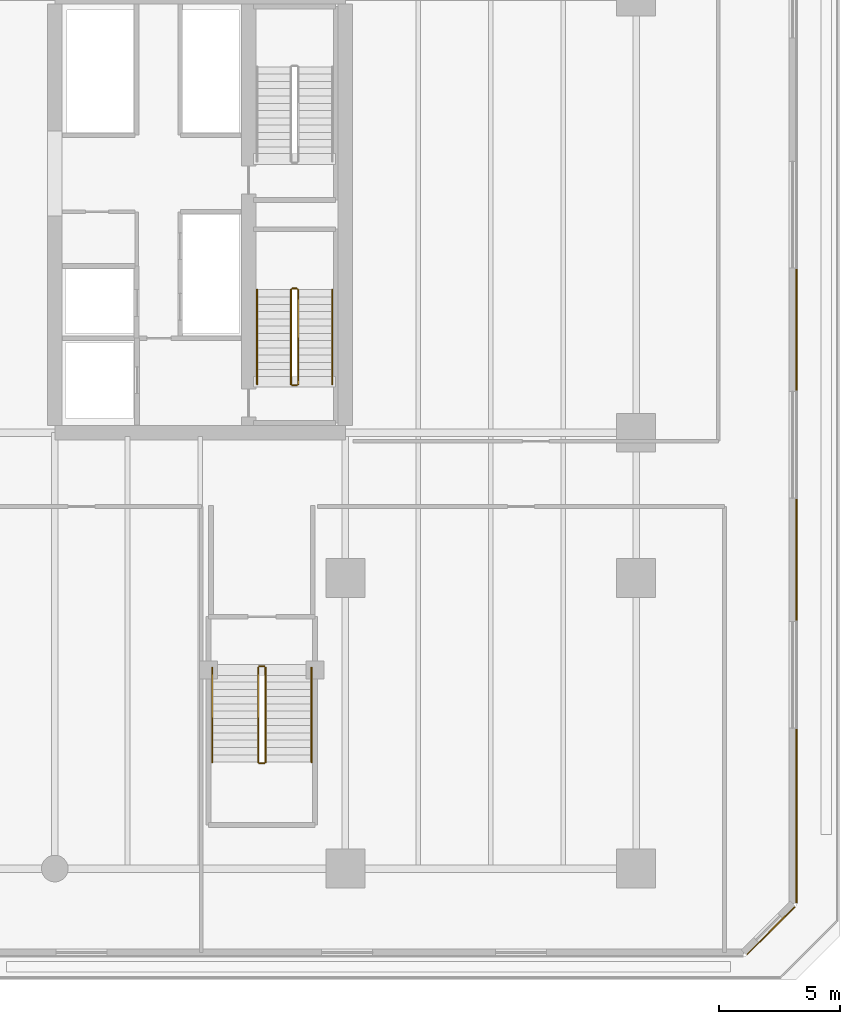
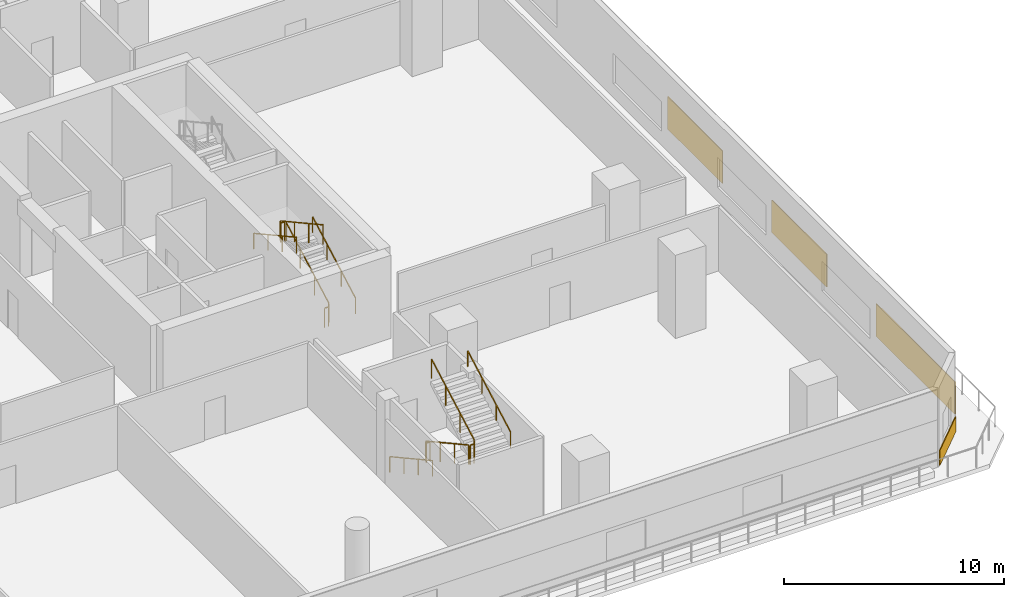
# One storey, part 23 of 27: 12 railings, 4 coverings.
"""IFC4 building model written with IfcOpenShell, lengths in metres."""

from ifc_helpers import new_model, si_unit, direction, frame, origin, origin_2d, place, context, subcontext, project, spatial, rectangle, extrude, material, layer, layer_set, type_object, element, save


model = new_model("IFC4")

# Units and contexts
model_context = context("Model", 3, precision=1e-05, world=origin(), true_north=direction((0.0, 1.0)))
body_context = subcontext(model_context, "Body", "Model", "MODEL_VIEW")
ifc_project = project(units=[si_unit("LENGTHUNIT", "METRE"), si_unit("AREAUNIT", "SQUARE_METRE"), si_unit("VOLUMEUNIT", "CUBIC_METRE"), si_unit("PLANEANGLEUNIT", "RADIAN"), si_unit("MASSUNIT", "GRAM", prefix="KILO")], contexts=[model_context])

# Site, building, storey
site_placement = place(None, origin())
site = spatial("IfcSite", under=ifc_project, at=site_placement, CompositionType="ELEMENT")
building_placement = place(site_placement, origin())
building = spatial("IfcBuilding", under=site, at=building_placement, Name="Tanjung Sevakor Pilgrim Tower", CompositionType="ELEMENT")
storey_placement = place(building_placement, frame((0.0, 0.0, 14.85009765625)))
storey = spatial("IfcBuildingStorey", under=building, at=storey_placement, Name="L04", CompositionType="ELEMENT", Elevation=14.85009765625)

# Coverings
ifc_material_1 = material(Name="Reconstructed Limestone Cladding", Category="masonry")
ifc_layer = layer(ifc_material_1, 0.044921875)
ifc_layer_set = layer_set([ifc_layer], Name="COV-CLAD-LIMESTONE")
covering_type = type_object("IfcCoveringType", Name="COV-CLAD-LIMESTONE", PredefinedType="CLADDING", material=ifc_layer_set)
covering_1_placement = place(storey_placement, frame((107.56591796875, 4.0341796875, 0.009765625), z_axis=(0.0, 0.0, 1.0), x_axis=(0.707106781187, 0.707106781187, 0.0)))
element("IfcCovering", 1, at=covering_1_placement, inside=storey, type_object=covering_type, Name="L04 Warm Limestone Sill Spandrel EW-L04-MAIN-2-1", PredefinedType="CLADDING", context=body_context, shape_type="SweptSolid", body=[
    extrude(rectangle(XDim=2.77392578125, YDim=0.044921875, at=origin_2d()), origin(), (0.0, 0.0, 1.0), 0.840087890625),
])
covering_2_placement = place(storey_placement, frame((108.62255859375, 8.77392578125, 0.849853515625), z_axis=(0.0, 0.0, 1.0), x_axis=(0.0, 1.0, 0.0)))
element("IfcCovering", 2, at=covering_2_placement, inside=storey, type_object=covering_type, Name="L04 Warm Limestone Pier Panel EW-L04-MAIN-3-1", PredefinedType="CLADDING", context=body_context, shape_type="SweptSolid", body=[
    extrude(rectangle(XDim=7.152099609375, YDim=0.044921875, at=origin_2d()), origin(), (0.0, 0.0, 1.0), 1.81005859375),
])
for number, where, z_axis, x_axis, name in (
    (3, (108.62255859375, 19.35009765625, 0.849853515625), (0.0, 0.0, 1.0), (0.0, 1.0, 0.0), "L04 Warm Limestone Pier Panel EW-L04-MAIN-3-2"),
    (4, (108.62255859375, 28.85009765625, 0.849853515625), (0.0, 0.0, 1.0), (0.0, 1.0, 0.0), "L04 Warm Limestone Pier Panel EW-L04-MAIN-3-3"),
):
    element("IfcCovering", number, at=place(storey_placement, frame(where, z_axis=z_axis, x_axis=x_axis)), inside=storey, type_object=covering_type, Name=name, PredefinedType="CLADDING", context=body_context, shape_type="SweptSolid", body=[
        extrude(rectangle(XDim=5.0, YDim=0.044921875, at=origin_2d()), origin(), (0.0, 0.0, 1.0), 1.81005859375),
    ])

# Railings
ifc_material_2 = material(Name="Steel S355J2", Category="steel")
railing_type_1 = type_object("IfcRailingType", Name="RL-STAIR-GUARD", PredefinedType="GUARDRAIL", material=ifc_material_2)
railing_1_placement = place(storey_placement, frame((88.050048828125, 26.60009765625, 0.164794921875)))
element("IfcRailing", 5, at=railing_1_placement, inside=storey, type_object=railing_type_1, Name="L04 TS-E1 stair guard 1", PredefinedType="GUARDRAIL", context=body_context, shape_type="SweptSolid", body=[
    extrude(rectangle(XDim=0.0479, YDim=0.0479), frame((0.0, 0.0, 1.076171875), z_axis=(0.0, 0.876208959939, 0.481931383625), x_axis=(-1.0, 0.0, 0.0)), (0.0, 0.0, 1.0), 4.450927734375),
    extrude(rectangle(XDim=0.042, YDim=0.042), origin(), (0.0, 0.0, 1.0), 1.052001953125),
    extrude(rectangle(XDim=0.042, YDim=0.042), frame((0.0, 1.300048828125, 0.715087890625)), (0.0, 0.0, 1.0), 1.052001953125),
    extrude(rectangle(XDim=0.042, YDim=0.042), frame((0.0, 2.599853515625, 1.429931640625)), (0.0, 0.0, 1.0), 1.052001953125),
    extrude(rectangle(XDim=0.042, YDim=0.042), frame((0.0, 3.89990234375, 2.14501953125)), (0.0, 0.0, 1.0), 1.052001953125),
])
railing_2_placement = place(storey_placement, frame((88.0, 30.550048828125, 2.309814453125)))
element("IfcRailing", 6, at=railing_2_placement, inside=storey, type_object=railing_type_1, Name="L04 TS-E1 stair guard 2", PredefinedType="GUARDRAIL", context=body_context, shape_type="SweptSolid", body=[
    extrude(rectangle(XDim=0.0479, YDim=0.0479), frame((0.0, 0.0, 1.076171875), z_axis=(-1.0, 0.0, 0.0), x_axis=(0.0, -1.0, 0.0)), (0.0, 0.0, 1.0), 0.199951171875),
    extrude(rectangle(XDim=0.042, YDim=0.042), origin(), (0.0, 0.0, 1.0), 1.052001953125),
    extrude(rectangle(XDim=0.042, YDim=0.042), frame((-0.199951171875, 0.0, 0.0)), (0.0, 0.0, 1.0), 1.052001953125),
])
railing_3_placement = place(storey_placement, frame((87.75, 30.5, 2.474853515625)))
element("IfcRailing", 7, at=railing_3_placement, inside=storey, type_object=railing_type_1, Name="L04 TS-E1 stair guard 3", PredefinedType="GUARDRAIL", context=body_context, shape_type="SweptSolid", body=[
    extrude(rectangle(XDim=0.0479, YDim=0.0479), frame((0.0, 0.0, 1.076171875), z_axis=(0.0, -0.876208959939, 0.481931383625), x_axis=(1.0, 0.0, 0.0)), (0.0, 0.0, 1.0), 4.450927734375),
    extrude(rectangle(XDim=0.042, YDim=0.042), origin(), (0.0, 0.0, 1.0), 1.052001953125),
    extrude(rectangle(XDim=0.042, YDim=0.042), frame((0.0, -1.300048828125, 0.715087890625)), (0.0, 0.0, 1.0), 1.052001953125),
    extrude(rectangle(XDim=0.042, YDim=0.042), frame((0.0, -2.599853515625, 1.429931640625)), (0.0, 0.0, 1.0), 1.052001953125),
    extrude(rectangle(XDim=0.042, YDim=0.042), frame((0.0, -3.89990234375, 2.14501953125)), (0.0, 0.0, 1.0), 1.052001953125),
])
railing_4_placement = place(storey_placement, frame((88.0, 26.550048828125, 0.0)))
element("IfcRailing", 8, at=railing_4_placement, inside=storey, type_object=railing_type_1, Name="L04 TS-E1 stair guard 4", PredefinedType="GUARDRAIL", context=body_context, shape_type="SweptSolid", body=[
    extrude(rectangle(XDim=0.0479, YDim=0.0479), frame((0.0, 0.0, 1.076171875), z_axis=(-1.0, 0.0, 0.0), x_axis=(0.0, -1.0, 0.0)), (0.0, 0.0, 1.0), 0.199951171875),
    extrude(rectangle(XDim=0.042, YDim=0.042), origin(), (0.0, 0.0, 1.0), 1.052001953125),
    extrude(rectangle(XDim=0.042, YDim=0.042), frame((-0.199951171875, 0.0, 0.0)), (0.0, 0.0, 1.0), 1.052001953125),
])
railing_5_placement = place(storey_placement, frame((86.39990234375, 14.89990234375, 0.164794921875)))
element("IfcRailing", 9, at=railing_5_placement, inside=storey, type_object=railing_type_1, Name="L04 PS-5 stair guard 1", PredefinedType="GUARDRAIL", context=body_context, shape_type="SweptSolid", body=[
    extrude(rectangle(XDim=0.0479, YDim=0.0479), frame((0.0, 0.0, 1.076171875), z_axis=(0.0, -0.876208959939, 0.481931383625), x_axis=(1.0, 0.0, 0.0)), (0.0, 0.0, 1.0), 4.450927734375),
    extrude(rectangle(XDim=0.042, YDim=0.042), origin(), (0.0, 0.0, 1.0), 1.052001953125),
    extrude(rectangle(XDim=0.042, YDim=0.042), frame((0.0, -1.300048828125, 0.715087890625)), (0.0, 0.0, 1.0), 1.052001953125),
    extrude(rectangle(XDim=0.042, YDim=0.042), frame((0.0, -2.599853515625, 1.429931640625)), (0.0, 0.0, 1.0), 1.052001953125),
    extrude(rectangle(XDim=0.042, YDim=0.042), frame((0.0, -3.89990234375, 2.14501953125)), (0.0, 0.0, 1.0), 1.052001953125),
])
railing_6_placement = place(storey_placement, frame((86.449951171875, 10.949951171875, 2.309814453125)))
element("IfcRailing", 10, at=railing_6_placement, inside=storey, type_object=railing_type_1, Name="L04 PS-5 stair guard 2", PredefinedType="GUARDRAIL", context=body_context, shape_type="SweptSolid", body=[
    extrude(rectangle(XDim=0.0479, YDim=0.0479), frame((0.0, 0.0, 1.076171875), z_axis=(1.0, 0.0, 0.0), x_axis=(0.0, 1.0, 0.0)), (0.0, 0.0, 1.0), 0.199951171875),
    extrude(rectangle(XDim=0.042, YDim=0.042), origin(), (0.0, 0.0, 1.0), 1.052001953125),
    extrude(rectangle(XDim=0.042, YDim=0.042), frame((0.199951171875, 0.0, 0.0)), (0.0, 0.0, 1.0), 1.052001953125),
])
railing_7_placement = place(storey_placement, frame((86.699951171875, 11.0, 2.474853515625)))
element("IfcRailing", 11, at=railing_7_placement, inside=storey, type_object=railing_type_1, Name="L04 PS-5 stair guard 3", PredefinedType="GUARDRAIL", context=body_context, shape_type="SweptSolid", body=[
    extrude(rectangle(XDim=0.0479, YDim=0.0479), frame((0.0, 0.0, 1.076171875), z_axis=(0.0, 0.876208959939, 0.481931383625), x_axis=(-1.0, 0.0, 0.0)), (0.0, 0.0, 1.0), 4.450927734375),
    extrude(rectangle(XDim=0.042, YDim=0.042), origin(), (0.0, 0.0, 1.0), 1.052001953125),
    extrude(rectangle(XDim=0.042, YDim=0.042), frame((0.0, 1.300048828125, 0.715087890625)), (0.0, 0.0, 1.0), 1.052001953125),
    extrude(rectangle(XDim=0.042, YDim=0.042), frame((0.0, 2.599853515625, 1.429931640625)), (0.0, 0.0, 1.0), 1.052001953125),
    extrude(rectangle(XDim=0.042, YDim=0.042), frame((0.0, 3.89990234375, 2.14501953125)), (0.0, 0.0, 1.0), 1.052001953125),
])
railing_8_placement = place(storey_placement, frame((86.449951171875, 14.949951171875, 0.0)))
element("IfcRailing", 12, at=railing_8_placement, inside=storey, type_object=railing_type_1, Name="L04 PS-5 stair guard 4", PredefinedType="GUARDRAIL", context=body_context, shape_type="SweptSolid", body=[
    extrude(rectangle(XDim=0.0479, YDim=0.0479), frame((0.0, 0.0, 1.076171875), z_axis=(1.0, 0.0, 0.0), x_axis=(0.0, 1.0, 0.0)), (0.0, 0.0, 1.0), 0.199951171875),
    extrude(rectangle(XDim=0.042, YDim=0.042), origin(), (0.0, 0.0, 1.0), 1.052001953125),
    extrude(rectangle(XDim=0.042, YDim=0.042), frame((0.199951171875, 0.0, 0.0)), (0.0, 0.0, 1.0), 1.052001953125),
])
ifc_material_3 = material(Name="Steel S355J2", Category="steel")
railing_type_2 = type_object("IfcRailingType", Name="RL-STAIR-HAND", PredefinedType="HANDRAIL", material=ifc_material_3)
railing_9_placement = place(storey_placement, frame((89.449951171875, 26.60009765625, 0.164794921875)))
element("IfcRailing", 13, at=railing_9_placement, inside=storey, type_object=railing_type_2, Name="L04 TS-E1 stair handrail 1", PredefinedType="HANDRAIL", context=body_context, shape_type="SweptSolid", body=[
    extrude(rectangle(XDim=0.0479, YDim=0.0479), frame((0.0, 0.0, 0.8759765625), z_axis=(0.0, 0.876208959939, 0.481931383625), x_axis=(-1.0, 0.0, 0.0)), (0.0, 0.0, 1.0), 4.450927734375),
    extrude(rectangle(XDim=0.042, YDim=0.042), origin(), (0.0, 0.0, 1.0), 0.851806640625),
    extrude(rectangle(XDim=0.042, YDim=0.042), frame((0.0, 1.300048828125, 0.715087890625)), (0.0, 0.0, 1.0), 0.851806640625),
    extrude(rectangle(XDim=0.042, YDim=0.042), frame((0.0, 2.599853515625, 1.429931640625)), (0.0, 0.0, 1.0), 0.851806640625),
    extrude(rectangle(XDim=0.042, YDim=0.042), frame((0.0, 3.89990234375, 2.14501953125)), (0.0, 0.0, 1.0), 0.851806640625),
])
for number, where, name in (
    (14, (86.35009765625, 30.5, 2.474853515625), "L04 TS-E1 stair handrail 2"),
    (15, (84.5, 14.89990234375, 0.164794921875), "L04 PS-5 stair handrail 1"),
):
    element("IfcRailing", number, at=place(storey_placement, frame(where)), inside=storey, type_object=railing_type_2, Name=name, PredefinedType="HANDRAIL", context=body_context, shape_type="SweptSolid", body=[
        extrude(rectangle(XDim=0.0479, YDim=0.0479), frame((0.0, 0.0, 0.8759765625), z_axis=(0.0, -0.876208959939, 0.481931383625), x_axis=(1.0, 0.0, 0.0)), (0.0, 0.0, 1.0), 4.450927734375),
        extrude(rectangle(XDim=0.042, YDim=0.042), origin(), (0.0, 0.0, 1.0), 0.851806640625),
        extrude(rectangle(XDim=0.042, YDim=0.042), frame((0.0, -1.300048828125, 0.715087890625)), (0.0, 0.0, 1.0), 0.851806640625),
        extrude(rectangle(XDim=0.042, YDim=0.042), frame((0.0, -2.599853515625, 1.429931640625)), (0.0, 0.0, 1.0), 0.851806640625),
        extrude(rectangle(XDim=0.042, YDim=0.042), frame((0.0, -3.89990234375, 2.14501953125)), (0.0, 0.0, 1.0), 0.851806640625),
    ])
railing_10_placement = place(storey_placement, frame((88.60009765625, 11.0, 2.474853515625)))
element("IfcRailing", 16, at=railing_10_placement, inside=storey, type_object=railing_type_2, Name="L04 PS-5 stair handrail 2", PredefinedType="HANDRAIL", context=body_context, shape_type="SweptSolid", body=[
    extrude(rectangle(XDim=0.0479, YDim=0.0479), frame((0.0, 0.0, 0.8759765625), z_axis=(0.0, 0.876208959939, 0.481931383625), x_axis=(-1.0, 0.0, 0.0)), (0.0, 0.0, 1.0), 4.450927734375),
    extrude(rectangle(XDim=0.042, YDim=0.042), origin(), (0.0, 0.0, 1.0), 0.851806640625),
    extrude(rectangle(XDim=0.042, YDim=0.042), frame((0.0, 1.300048828125, 0.715087890625)), (0.0, 0.0, 1.0), 0.851806640625),
    extrude(rectangle(XDim=0.042, YDim=0.042), frame((0.0, 2.599853515625, 1.429931640625)), (0.0, 0.0, 1.0), 0.851806640625),
    extrude(rectangle(XDim=0.042, YDim=0.042), frame((0.0, 3.89990234375, 2.14501953125)), (0.0, 0.0, 1.0), 0.851806640625),
])

save(model, "model.ifc")
